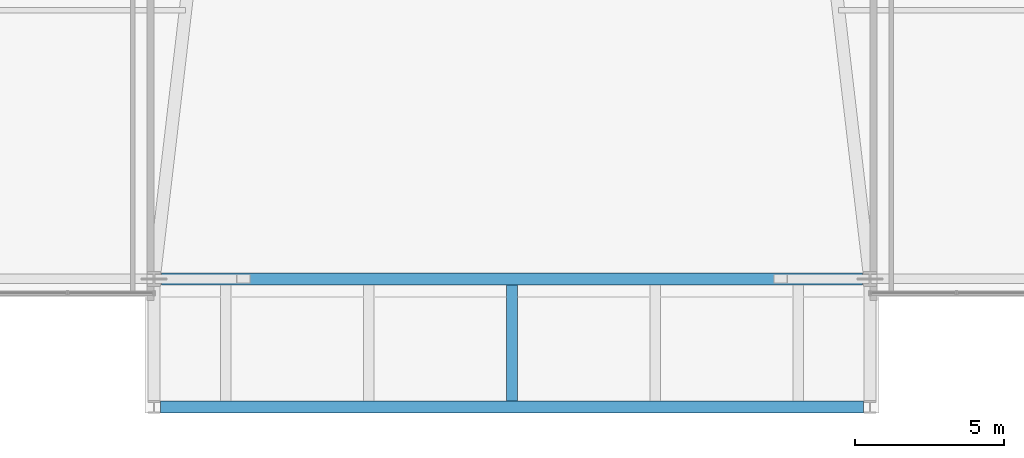
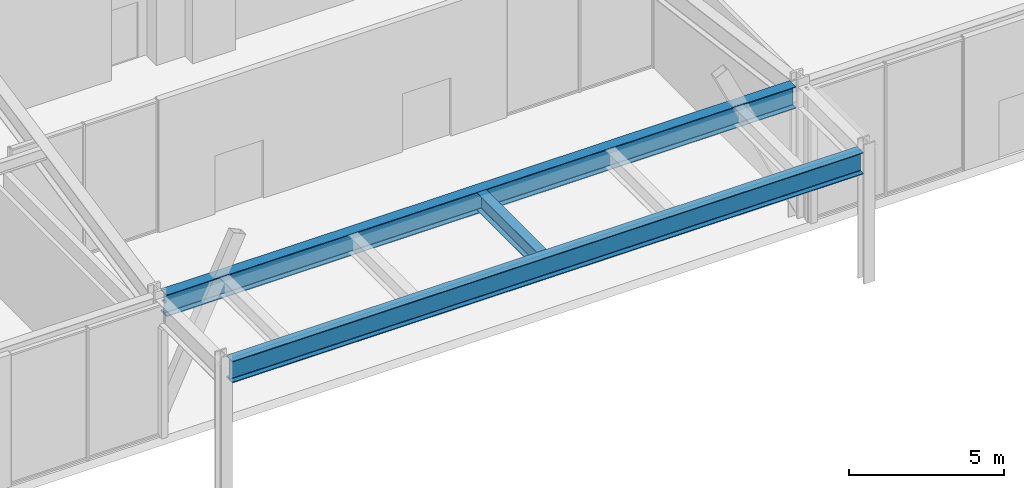
# One storey, part 5 of 24: 3 beams.
"""IFC4 building model written with IfcOpenShell, lengths in metres."""

from ifc_helpers import new_model, si_unit, direction, frame, origin, origin_2d, place, context, subcontext, project, spatial, i_section, extrude, material, material_profile, profile_set, type_object, element, save


model = new_model("IFC4")

# Units and contexts
model_context = context("Model", 3, precision=1e-05, world=origin(), true_north=direction((0.0, 1.0)))
body_context = subcontext(model_context, "Body", "Model", "MODEL_VIEW")
ifc_project = project(units=[si_unit("LENGTHUNIT", "METRE"), si_unit("AREAUNIT", "SQUARE_METRE"), si_unit("VOLUMEUNIT", "CUBIC_METRE"), si_unit("PLANEANGLEUNIT", "RADIAN"), si_unit("MASSUNIT", "GRAM", prefix="KILO")], contexts=[model_context])

# Site, building, storey
site_placement = place(None, origin())
site = spatial("IfcSite", under=ifc_project, at=site_placement, CompositionType="ELEMENT")
building_placement = place(site_placement, origin())
building = spatial("IfcBuilding", under=site, at=building_placement, Name="Kolvaren Belvedere", CompositionType="ELEMENT")
storey_placement = place(building_placement, origin())
storey = spatial("IfcBuildingStorey", under=building, at=storey_placement, Name="L01", CompositionType="ELEMENT", Elevation=0.0)

# Beams
ifc_material_1 = material(Name="Structural steel ASTM A992 Grade 50", Category="steel")
ifc_material_profile_1 = material_profile(ifc_material_1, i_section(OverallWidth=0.35498046875, OverallDepth=0.696044921875, WebThickness=0.015380859375, FlangeThickness=0.02490234375, FilletRadius=0.02197265625, at=origin_2d()), Name="W27X146")
ifc_profile_set_1 = profile_set([ifc_material_profile_1], Name="Structural steel ASTM A992 Grade 50")
beam_type_1 = type_object("IfcBeamType", Name="BM-GIRD-W27X146", PredefinedType="BEAM", material=ifc_profile_set_1)
beam_1_placement = place(storey_placement, frame((0.0, -28.010009765625, 4.85205078125), z_axis=(0.0, -1.0, 0.0), x_axis=(1.0, 0.0, 0.0)))
element("IfcBeam", 1, at=beam_1_placement, inside=storey, type_object=beam_type_1, Name="Portal Canopy Secondary Rib 3", PredefinedType="BEAM", context=body_context, shape_type="SweptSolid", body=[
    extrude(i_section(OverallWidth=0.35498046875, OverallDepth=0.696044921875, WebThickness=0.015380859375, FlangeThickness=0.02490234375, FilletRadius=0.02197265625, at=origin_2d()), origin(), (0.0, 0.0, 1.0), 3.8798828125),
])
ifc_material_2 = material(Name="Structural steel ASTM A992 Grade 50", Category="steel")
ifc_material_profile_2 = material_profile(ifc_material_2, i_section(OverallWidth=0.39990234375, OverallDepth=0.85595703125, WebThickness=0.018310546875, FlangeThickness=0.029296875, FilletRadius=0.02490234375, at=origin_2d()), Name="W33X201")
ifc_profile_set_2 = profile_set([ifc_material_profile_2], Name="Structural steel ASTM A992 Grade 50")
beam_type_2 = type_object("IfcBeamType", Name="BM-GIRD-W33X201", PredefinedType="BEAM", material=ifc_profile_set_2)
beam_2_placement = place(storey_placement, frame((-11.75, -27.800048828125, 4.77197265625), z_axis=(1.0, 0.0, 0.0), x_axis=(0.0, 1.0, 0.0)))
element("IfcBeam", 2, at=beam_2_placement, inside=storey, type_object=beam_type_2, Name="Portal Canopy Rear Tie Girder", PredefinedType="BEAM", context=body_context, shape_type="SweptSolid", body=[
    extrude(i_section(OverallWidth=0.39990234375, OverallDepth=0.85595703125, WebThickness=0.018310546875, FlangeThickness=0.029296875, FilletRadius=0.02490234375, at=origin_2d()), origin(), (0.0, 0.0, 1.0), 23.5),
])
beam_3_placement = place(storey_placement, frame((-11.780029296875, -32.10009765625, 4.77197265625), z_axis=(1.0, 0.0, 0.0), x_axis=(0.0, 1.0, 0.0)))
element("IfcBeam", 3, at=beam_3_placement, inside=storey, type_object=beam_type_2, Name="Portal Canopy Front Header Girder", PredefinedType="SPANDREL", context=body_context, shape_type="SweptSolid", body=[
    extrude(i_section(OverallWidth=0.39990234375, OverallDepth=0.85595703125, WebThickness=0.018310546875, FlangeThickness=0.029296875, FilletRadius=0.02490234375, at=origin_2d()), origin(), (0.0, 0.0, 1.0), 23.56005859375),
])

save(model, "model.ifc")
